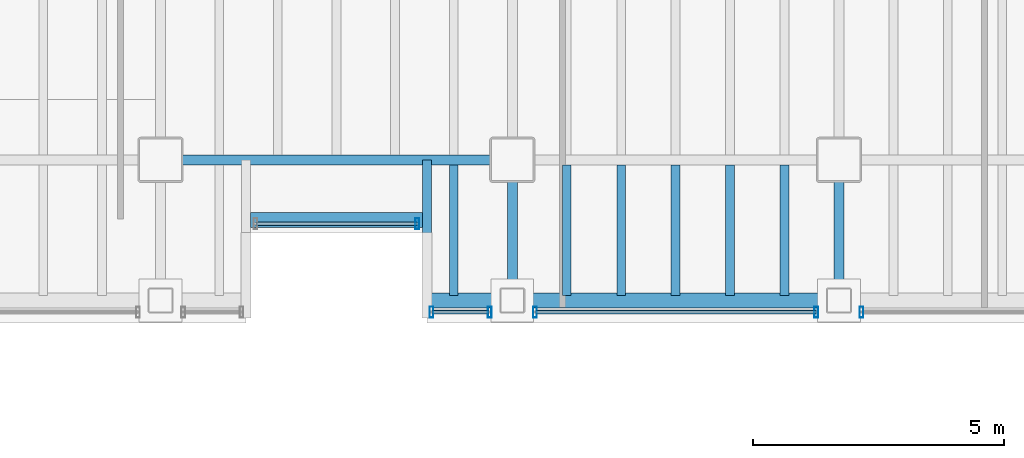
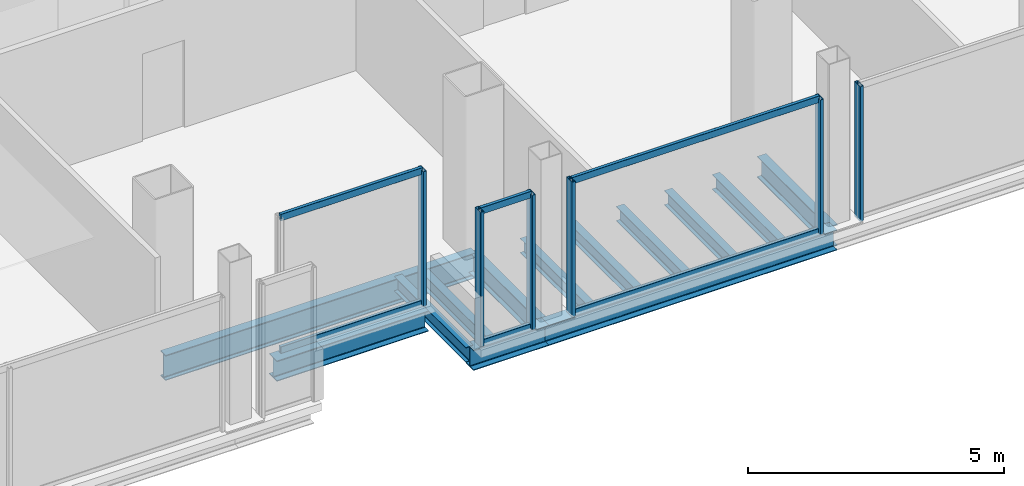
# One storey, part 4 of 16: 13 beams, 12 members, 4 elements without a shape of their own.
"""IFC4 building model written with IfcOpenShell, lengths in metres."""

from ifc_helpers import new_model, si_unit, direction, frame, origin, origin_2d, place, context, subcontext, project, spatial, hollow_rectangle, i_section, extrude, material, material_profile, profile_set, type_object, element, aggregate, save


model = new_model("IFC4")

# Units and contexts
model_context = context("Model", 3, precision=1e-05, world=origin(), true_north=direction((0.0, 1.0)))
body_context = subcontext(model_context, "Body", "Model", "MODEL_VIEW")
ifc_project = project(units=[si_unit("LENGTHUNIT", "METRE"), si_unit("AREAUNIT", "SQUARE_METRE"), si_unit("VOLUMEUNIT", "CUBIC_METRE"), si_unit("PLANEANGLEUNIT", "RADIAN"), si_unit("MASSUNIT", "GRAM", prefix="KILO")], contexts=[model_context])

# Site, building, storey
site_placement = place(None, origin())
site = spatial("IfcSite", under=ifc_project, at=site_placement, CompositionType="ELEMENT")
building_placement = place(site_placement, origin())
building = spatial("IfcBuilding", under=site, at=building_placement, Name="Noeulbin Bourse Tower", CompositionType="ELEMENT")
storey_placement = place(building_placement, frame((0.0, 0.0, 185.10009765625)))
storey = spatial("IfcBuildingStorey", under=building, at=storey_placement, Name="L46", CompositionType="ELEMENT", Elevation=185.10009765625)

# Beams
ifc_material_1 = material(Name="Steel S355", Category="steel")
ifc_material_profile_1 = material_profile(ifc_material_1, i_section(OverallWidth=0.199951171875, OverallDepth=0.5, WebThickness=0.010009765625, FlangeThickness=0.01611328125, FilletRadius=0.02001953125, at=origin_2d()), Name="H-500x200x10x16", Category="LoadBearing")
ifc_profile_set_1 = profile_set([ifc_material_profile_1], Name="Steel S355")
beam_type_1 = type_object("IfcBeamType", Name="BM-GRD-500", PredefinedType="USERDEFINED", material=ifc_profile_set_1)
for number, where, z_axis, x_axis, name in (
    (1, (31.0, 17.199951171875, -0.43017578125), (0.0, 1.0, 0.0), (-1.0, 0.0, 0.0), "Tower Primary Girder NS L46-3.1"),
    (2, (37.5, 17.199951171875, -0.43017578125), (0.0, 1.0, 0.0), (-1.0, 0.0, 0.0), "Tower Primary Girder NS L46-4.1"),
):
    element("IfcBeam", number, at=place(storey_placement, frame(where, z_axis=z_axis, x_axis=x_axis)), inside=storey, type_object=beam_type_1, Name=name, ObjectType="GIRDER", PredefinedType="USERDEFINED", context=body_context, shape_type="SweptSolid", body=[
        extrude(i_section(OverallWidth=0.199951171875, OverallDepth=0.5, WebThickness=0.010009765625, FlangeThickness=0.01611328125, FilletRadius=0.02001953125, at=origin_2d()), origin(), (0.0, 0.0, 1.0), 2.800048828125),
    ])
ifc_material_profile_2 = material_profile(ifc_material_1, i_section(OverallWidth=0.199951171875, OverallDepth=0.60009765625, WebThickness=0.010986328125, FlangeThickness=0.01708984375, FilletRadius=0.02197265625, at=origin_2d()), Name="H-600x200x11x17", Category="LoadBearing")
ifc_profile_set_2 = profile_set([ifc_material_profile_2], Name="Steel S355")
beam_type_2 = type_object("IfcBeamType", Name="BM-GRD-600", PredefinedType="USERDEFINED", material=ifc_profile_set_2)
beam_1_placement = place(storey_placement, frame((24.0, 20.0, -0.47998046875), z_axis=(1.0, 0.0, 0.0), x_axis=(0.0, 1.0, 0.0)))
element("IfcBeam", 3, at=beam_1_placement, inside=storey, type_object=beam_type_2, Name="Tower Primary Girder EW L46-1.3", ObjectType="GIRDER", PredefinedType="USERDEFINED", context=body_context, shape_type="SweptSolid", body=[
    extrude(i_section(OverallWidth=0.199951171875, OverallDepth=0.60009765625, WebThickness=0.010986328125, FlangeThickness=0.01708984375, FilletRadius=0.02197265625, at=origin_2d()), origin(), (0.0, 0.0, 1.0), 7.0),
])
ifc_material_profile_3 = material_profile(ifc_material_1, i_section(OverallWidth=0.175048828125, OverallDepth=0.35009765625, WebThickness=0.007080078125, FlangeThickness=0.010986328125, FilletRadius=0.013916015625, at=origin_2d()), Name="H-350x175x7x11", Category="LoadBearing")
ifc_profile_set_3 = profile_set([ifc_material_profile_3], Name="Steel S355")
beam_type_3 = type_object("IfcBeamType", Name="BM-JST-350", PredefinedType="JOIST", material=ifc_profile_set_3)
beam_2_placement = place(storey_placement, frame((29.300048828125, 17.199951171875, -0.35498046875), z_axis=(0.0, 1.0, 0.0), x_axis=(-1.0, 0.0, 0.0)))
element("IfcBeam", 4, at=beam_2_placement, inside=storey, type_object=beam_type_3, Name="BM-L46-SRT-E", PredefinedType="JOIST", context=body_context, shape_type="SweptSolid", body=[
    extrude(i_section(OverallWidth=0.175048828125, OverallDepth=0.35009765625, WebThickness=0.007080078125, FlangeThickness=0.010986328125, FilletRadius=0.013916015625, at=origin_2d()), origin(), (0.0, 0.0, 1.0), 2.800048828125),
])
for number, where, z_axis, x_axis, name in (
    (5, (29.833251953125, 17.300048828125, -0.35498046875), (0.0, 1.0, 0.0), (-1.0, 0.0, 0.0), "Tower Composite Joist L46-34"),
    (6, (32.083251953125, 17.300048828125, -0.35498046875), (0.0, 1.0, 0.0), (-1.0, 0.0, 0.0), "Tower Composite Joist L46-37"),
    (7, (33.166748046875, 17.300048828125, -0.35498046875), (0.0, 1.0, 0.0), (-1.0, 0.0, 0.0), "Tower Composite Joist L46-40"),
    (8, (34.25, 17.300048828125, -0.35498046875), (0.0, 1.0, 0.0), (-1.0, 0.0, 0.0), "Tower Composite Joist L46-43"),
    (9, (35.333251953125, 17.300048828125, -0.35498046875), (0.0, 1.0, 0.0), (-1.0, 0.0, 0.0), "Tower Composite Joist L46-46"),
    (10, (36.416748046875, 17.300048828125, -0.35498046875), (0.0, 1.0, 0.0), (-1.0, 0.0, 0.0), "Tower Composite Joist L46-49"),
):
    element("IfcBeam", number, at=place(storey_placement, frame(where, z_axis=z_axis, x_axis=x_axis)), inside=storey, type_object=beam_type_3, Name=name, PredefinedType="JOIST", context=body_context, shape_type="SweptSolid", body=[
        extrude(i_section(OverallWidth=0.175048828125, OverallDepth=0.35009765625, WebThickness=0.007080078125, FlangeThickness=0.010986328125, FilletRadius=0.013916015625, at=origin_2d()), origin(), (0.0, 0.0, 1.0), 2.599853515625),
    ])
ifc_material_profile_4 = material_profile(ifc_material_1, i_section(OverallWidth=0.300048828125, OverallDepth=0.488037109375, WebThickness=0.010986328125, FlangeThickness=0.01806640625, FilletRadius=0.02197265625, at=origin_2d()), Name="H-488x300x11x18", Category="LoadBearing")
ifc_profile_set_4 = profile_set([ifc_material_profile_4], Name="Steel S355")
beam_type_4 = type_object("IfcBeamType", Name="BM-SPN-488", PredefinedType="SPANDREL", material=ifc_profile_set_4)
beam_3_placement = place(storey_placement, frame((25.78759765625, 18.800048828125, -0.424072265625), z_axis=(1.0, 0.0, 0.0), x_axis=(0.0, 1.0, 0.0)))
element("IfcBeam", 11, at=beam_3_placement, inside=storey, type_object=beam_type_4, Name="South Recess Spandrel L46-2B", PredefinedType="SPANDREL", context=body_context, shape_type="SweptSolid", body=[
    extrude(i_section(OverallWidth=0.300048828125, OverallDepth=0.488037109375, WebThickness=0.010986328125, FlangeThickness=0.01806640625, FilletRadius=0.02197265625, at=origin_2d()), origin(), (0.0, 0.0, 1.0), 3.4248046875),
])
beam_4_placement = place(storey_placement, frame((29.300048828125, 17.199951171875, -0.424072265625), z_axis=(1.0, 0.0, 0.0), x_axis=(0.0, 1.0, 0.0)))
element("IfcBeam", 12, at=beam_4_placement, inside=storey, type_object=beam_type_4, Name="South Spandrel L46-2C", PredefinedType="SPANDREL", context=body_context, shape_type="SweptSolid", body=[
    extrude(i_section(OverallWidth=0.300048828125, OverallDepth=0.488037109375, WebThickness=0.010986328125, FlangeThickness=0.01806640625, FilletRadius=0.02197265625, at=origin_2d()), origin(), (0.0, 0.0, 1.0), 1.699951171875),
])
beam_5_placement = place(storey_placement, frame((31.0, 17.199951171875, -0.424072265625), z_axis=(1.0, 0.0, 0.0), x_axis=(0.0, 1.0, 0.0)))
element("IfcBeam", 13, at=beam_5_placement, inside=storey, type_object=beam_type_4, Name="South Spandrel L46-3", PredefinedType="SPANDREL", context=body_context, shape_type="SweptSolid", body=[
    extrude(i_section(OverallWidth=0.300048828125, OverallDepth=0.488037109375, WebThickness=0.010986328125, FlangeThickness=0.01806640625, FilletRadius=0.02197265625, at=origin_2d()), origin(), (0.0, 0.0, 1.0), 6.5),
])

# Curtain wall, member
ifc_material_2 = material(Name="Dark Tinted Triple Glazing", Category="glass")
curtain_wall_type = type_object("IfcCurtainWallType", Name="CW-SYS-3", PredefinedType="NOTDEFINED", material=ifc_material_2)
curtain_wall_1_placement = place(storey_placement, origin())
curtain_wall_1 = element("IfcCurtainWall", 14, at=curtain_wall_1_placement, inside=storey, type_object=curtain_wall_type, Name="Unitised Curtain Wall CW-L46-SREC", PredefinedType="NOTDEFINED")
ifc_material_3 = material(Name="Anodised Aluminium 6063-T6", Category="aluminium")
ifc_material_profile_5 = material_profile(ifc_material_3, hollow_rectangle(XDim=0.074951171875, YDim=0.219970703125, WallThickness=0.0048828125, InnerFilletRadius=0.00244140625, OuterFilletRadius=0.0048828125, at=origin_2d()), Name="ALU-MULL-75x220x5", Category="LoadBearing")
ifc_profile_set_5 = profile_set([ifc_material_profile_5], Name="Anodised Aluminium 6063-T6")
member_type_1 = type_object("IfcMemberType", Name="CW-SYS-3-MUL", PredefinedType="MULLION", material=ifc_profile_set_5)
member_1_placement = place(storey_placement, frame((29.110107421875, 18.72998046875, -0.02001953125), z_axis=(0.0, 0.0, 1.0), x_axis=(1.0, 0.0, 0.0)))
member_1 = element("IfcMember", 15, at=member_1_placement, type_object=member_type_1, Name="Curtain Wall Mullion CW-L46-SREC-M01", PredefinedType="MULLION", context=body_context, shape_type="SweptSolid", body=[
    extrude(hollow_rectangle(XDim=0.074951171875, YDim=0.219970703125, WallThickness=0.0048828125, InnerFilletRadius=0.00244140625, OuterFilletRadius=0.0048828125, at=origin_2d()), origin(), (0.0, 0.0, 1.0), 3.219970703125),
])

# Curtain wall, members
curtain_wall_2_placement = place(storey_placement, origin())
curtain_wall_2 = element("IfcCurtainWall", 16, at=curtain_wall_2_placement, inside=storey, type_object=curtain_wall_type, Name="Unitised Curtain Wall CW-L46-S2-S1", PredefinedType="NOTDEFINED")
member_2_placement = place(storey_placement, frame((29.389892578125, 16.969970703125, -0.02001953125), z_axis=(0.0, 0.0, 1.0), x_axis=(1.0, 0.0, 0.0)))
member_2 = element("IfcMember", 17, at=member_2_placement, type_object=member_type_1, Name="Curtain Wall Mullion CW-L46-S2-S1-M00", PredefinedType="MULLION", context=body_context, shape_type="SweptSolid", body=[
    extrude(hollow_rectangle(XDim=0.074951171875, YDim=0.219970703125, WallThickness=0.0048828125, InnerFilletRadius=0.00244140625, OuterFilletRadius=0.0048828125, at=origin_2d()), origin(), (0.0, 0.0, 1.0), 3.219970703125),
])
member_3_placement = place(storey_placement, frame((30.550048828125, 16.969970703125, -0.02001953125), z_axis=(0.0, 0.0, 1.0), x_axis=(1.0, 0.0, 0.0)))
member_3 = element("IfcMember", 18, at=member_3_placement, type_object=member_type_1, Name="Curtain Wall Mullion CW-L46-S2-S1-M01", PredefinedType="MULLION", context=body_context, shape_type="SweptSolid", body=[
    extrude(hollow_rectangle(XDim=0.074951171875, YDim=0.219970703125, WallThickness=0.0048828125, InnerFilletRadius=0.00244140625, OuterFilletRadius=0.0048828125, at=origin_2d()), origin(), (0.0, 0.0, 1.0), 3.219970703125),
])

curtain_wall_3_placement = place(storey_placement, origin())
curtain_wall_3 = element("IfcCurtainWall", 19, at=curtain_wall_3_placement, inside=storey, type_object=curtain_wall_type, Name="Unitised Curtain Wall CW-L46-S2-S2", PredefinedType="NOTDEFINED")
member_4_placement = place(storey_placement, frame((31.449951171875, 16.969970703125, -0.02001953125), z_axis=(0.0, 0.0, 1.0), x_axis=(1.0, 0.0, 0.0)))
member_4 = element("IfcMember", 20, at=member_4_placement, type_object=member_type_1, Name="Curtain Wall Mullion CW-L46-S2-S2-M00", PredefinedType="MULLION", context=body_context, shape_type="SweptSolid", body=[
    extrude(hollow_rectangle(XDim=0.074951171875, YDim=0.219970703125, WallThickness=0.0048828125, InnerFilletRadius=0.00244140625, OuterFilletRadius=0.0048828125, at=origin_2d()), origin(), (0.0, 0.0, 1.0), 3.219970703125),
])
member_5_placement = place(storey_placement, frame((37.050048828125, 16.969970703125, -0.02001953125), z_axis=(0.0, 0.0, 1.0), x_axis=(1.0, 0.0, 0.0)))
member_5 = element("IfcMember", 21, at=member_5_placement, type_object=member_type_1, Name="Curtain Wall Mullion CW-L46-S2-S2-M01", PredefinedType="MULLION", context=body_context, shape_type="SweptSolid", body=[
    extrude(hollow_rectangle(XDim=0.074951171875, YDim=0.219970703125, WallThickness=0.0048828125, InnerFilletRadius=0.00244140625, OuterFilletRadius=0.0048828125, at=origin_2d()), origin(), (0.0, 0.0, 1.0), 3.219970703125),
])

# Curtain wall, member
curtain_wall_4_placement = place(storey_placement, origin())
curtain_wall_4 = element("IfcCurtainWall", 22, at=curtain_wall_4_placement, inside=storey, type_object=curtain_wall_type, Name="Unitised Curtain Wall CW-L46-S2-S3", PredefinedType="NOTDEFINED")
member_6_placement = place(storey_placement, frame((37.949951171875, 16.969970703125, -0.02001953125), z_axis=(0.0, 0.0, 1.0), x_axis=(1.0, 0.0, 0.0)))
member_6 = element("IfcMember", 23, at=member_6_placement, type_object=member_type_1, Name="Curtain Wall Mullion CW-L46-S2-S3-M00", PredefinedType="MULLION", context=body_context, shape_type="SweptSolid", body=[
    extrude(hollow_rectangle(XDim=0.074951171875, YDim=0.219970703125, WallThickness=0.0048828125, InnerFilletRadius=0.00244140625, OuterFilletRadius=0.0048828125, at=origin_2d()), origin(), (0.0, 0.0, 1.0), 3.219970703125),
])
aggregate(curtain_wall_4, [member_6])

# Member
ifc_material_profile_6 = material_profile(ifc_material_3, hollow_rectangle(XDim=0.074951171875, YDim=0.159912109375, WallThickness=0.0048828125, InnerFilletRadius=0.00244140625, OuterFilletRadius=0.0048828125, at=origin_2d()), Name="ALU-TRAN-75x160x5", Category="LoadBearing")
ifc_profile_set_6 = profile_set([ifc_material_profile_6], Name="Anodised Aluminium 6063-T6")
member_type_2 = type_object("IfcMemberType", Name="CW-SYS-3-TRN", PredefinedType="USERDEFINED", material=ifc_profile_set_6)
member_7_placement = place(storey_placement, frame((25.89990234375, 18.72998046875, 0.010009765625), z_axis=(1.0, 0.0, 0.0), x_axis=(0.0, 1.0, 0.0)))
member_7 = element("IfcMember", 24, at=member_7_placement, type_object=member_type_2, Name="Curtain Wall Transom CW-L46-SREC-T00", ObjectType="TRANSOM", PredefinedType="USERDEFINED", context=body_context, shape_type="SweptSolid", body=[
    extrude(hollow_rectangle(XDim=0.074951171875, YDim=0.159912109375, WallThickness=0.0048828125, InnerFilletRadius=0.00244140625, OuterFilletRadius=0.0048828125, at=origin_2d()), origin(), (0.0, 0.0, 1.0), 3.2001953125),
])

member_8_placement = place(storey_placement, frame((25.89990234375, 18.72998046875, 3.169921875), z_axis=(1.0, 0.0, 0.0), x_axis=(0.0, 1.0, 0.0)))
member_8 = element("IfcMember", 25, at=member_8_placement, type_object=member_type_2, Name="Curtain Wall Transom CW-L46-SREC-T01", ObjectType="TRANSOM", PredefinedType="USERDEFINED", context=body_context, shape_type="SweptSolid", body=[
    extrude(hollow_rectangle(XDim=0.074951171875, YDim=0.159912109375, WallThickness=0.0048828125, InnerFilletRadius=0.00244140625, OuterFilletRadius=0.0048828125, at=origin_2d()), origin(), (0.0, 0.0, 1.0), 3.2001953125),
])

aggregate(curtain_wall_1, [member_1, member_7, member_8])

member_9_placement = place(storey_placement, frame((29.39990234375, 16.969970703125, 0.010009765625), z_axis=(1.0, 0.0, 0.0), x_axis=(0.0, 1.0, 0.0)))
member_9 = element("IfcMember", 26, at=member_9_placement, type_object=member_type_2, Name="Curtain Wall Transom CW-L46-S2-S1-T00", ObjectType="TRANSOM", PredefinedType="USERDEFINED", context=body_context, shape_type="SweptSolid", body=[
    extrude(hollow_rectangle(XDim=0.074951171875, YDim=0.159912109375, WallThickness=0.0048828125, InnerFilletRadius=0.00244140625, OuterFilletRadius=0.0048828125, at=origin_2d()), origin(), (0.0, 0.0, 1.0), 1.14013671875),
])

member_10_placement = place(storey_placement, frame((29.39990234375, 16.969970703125, 3.169921875), z_axis=(1.0, 0.0, 0.0), x_axis=(0.0, 1.0, 0.0)))
member_10 = element("IfcMember", 27, at=member_10_placement, type_object=member_type_2, Name="Curtain Wall Transom CW-L46-S2-S1-T01", ObjectType="TRANSOM", PredefinedType="USERDEFINED", context=body_context, shape_type="SweptSolid", body=[
    extrude(hollow_rectangle(XDim=0.074951171875, YDim=0.159912109375, WallThickness=0.0048828125, InnerFilletRadius=0.00244140625, OuterFilletRadius=0.0048828125, at=origin_2d()), origin(), (0.0, 0.0, 1.0), 1.14013671875),
])

aggregate(curtain_wall_2, [member_2, member_3, member_9, member_10])

member_11_placement = place(storey_placement, frame((31.4599609375, 16.969970703125, 0.010009765625), z_axis=(1.0, 0.0, 0.0), x_axis=(0.0, 1.0, 0.0)))
member_11 = element("IfcMember", 28, at=member_11_placement, type_object=member_type_2, Name="Curtain Wall Transom CW-L46-S2-S2-T00", ObjectType="TRANSOM", PredefinedType="USERDEFINED", context=body_context, shape_type="SweptSolid", body=[
    extrude(hollow_rectangle(XDim=0.074951171875, YDim=0.159912109375, WallThickness=0.0048828125, InnerFilletRadius=0.00244140625, OuterFilletRadius=0.0048828125, at=origin_2d()), origin(), (0.0, 0.0, 1.0), 5.580078125),
])

member_12_placement = place(storey_placement, frame((31.4599609375, 16.969970703125, 3.169921875), z_axis=(1.0, 0.0, 0.0), x_axis=(0.0, 1.0, 0.0)))
member_12 = element("IfcMember", 29, at=member_12_placement, type_object=member_type_2, Name="Curtain Wall Transom CW-L46-S2-S2-T01", ObjectType="TRANSOM", PredefinedType="USERDEFINED", context=body_context, shape_type="SweptSolid", body=[
    extrude(hollow_rectangle(XDim=0.074951171875, YDim=0.159912109375, WallThickness=0.0048828125, InnerFilletRadius=0.00244140625, OuterFilletRadius=0.0048828125, at=origin_2d()), origin(), (0.0, 0.0, 1.0), 5.580078125),
])

aggregate(curtain_wall_3, [member_4, member_5, member_11, member_12])

save(model, "model.ifc")
